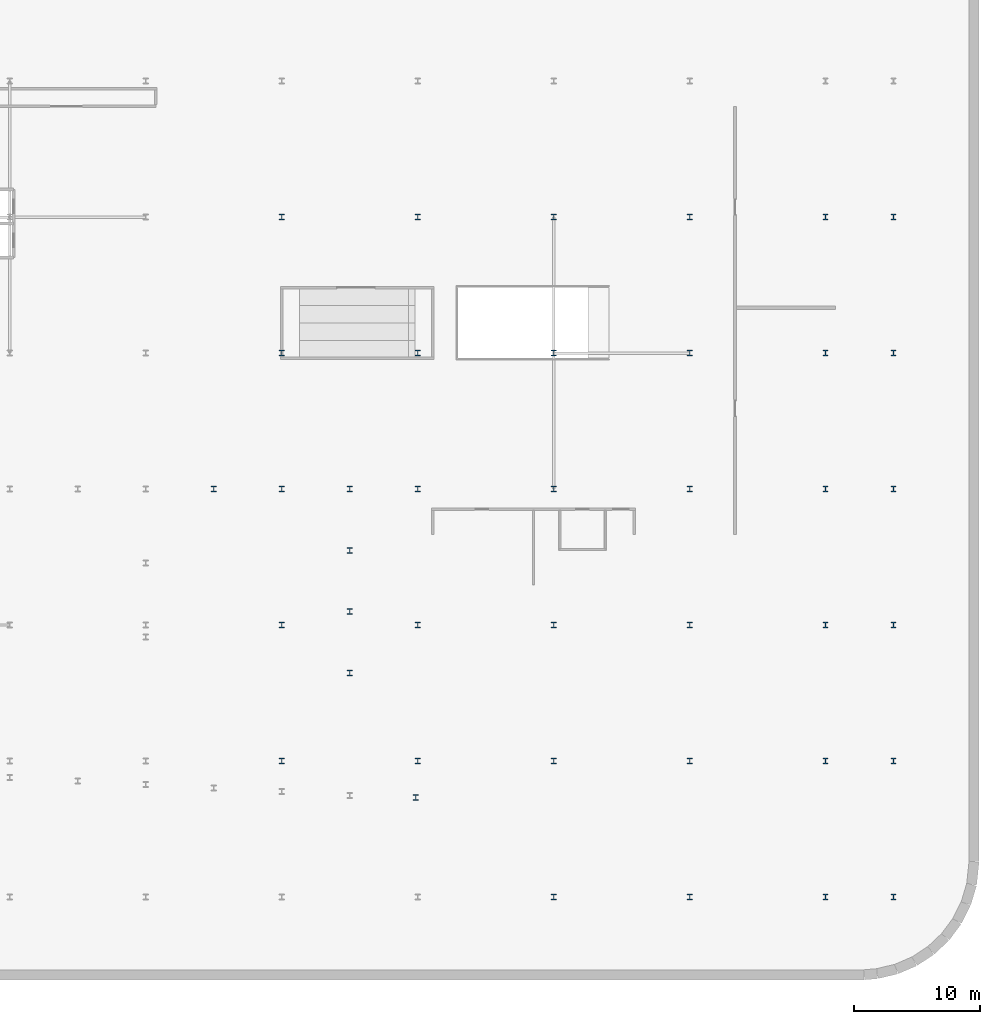
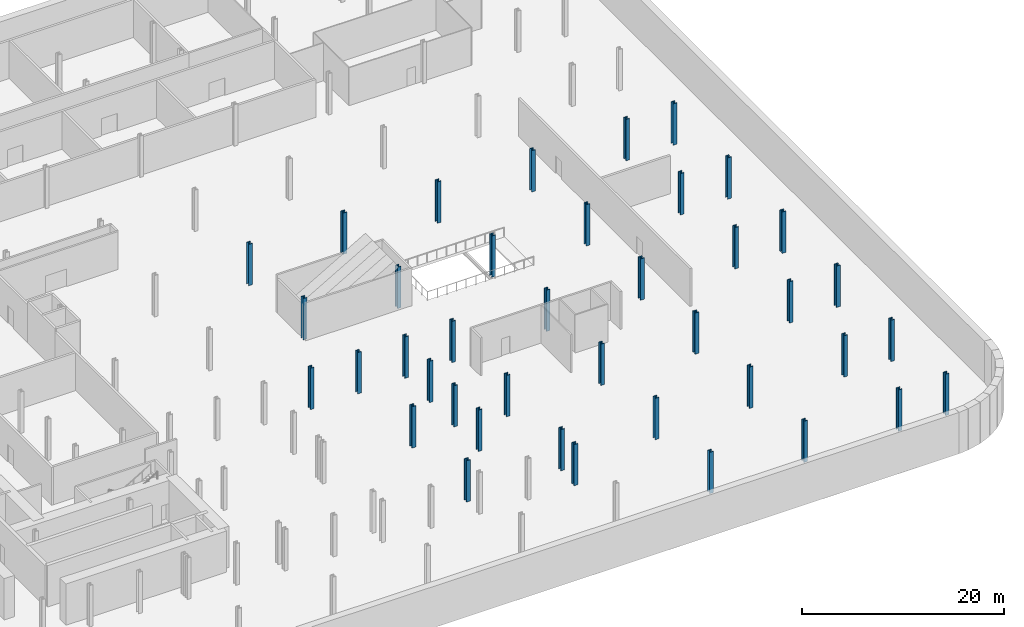
# One storey, part 2 of 19: 40 columns.
"""IFC4 building model written with IfcOpenShell, lengths in metres."""

from ifc_helpers import new_model, si_unit, direction, frame, origin, origin_2d, place, context, subcontext, project, spatial, i_section, extrude, material, material_profile, profile_set, type_object, element, save


model = new_model("IFC4")

# Units and contexts
model_context = context("Model", 3, precision=1e-05, world=origin(), true_north=direction((0.0, 1.0)))
body_context = subcontext(model_context, "Body", "Model", "MODEL_VIEW")
ifc_project = project(units=[si_unit("LENGTHUNIT", "METRE"), si_unit("AREAUNIT", "SQUARE_METRE"), si_unit("VOLUMEUNIT", "CUBIC_METRE"), si_unit("PLANEANGLEUNIT", "RADIAN"), si_unit("MASSUNIT", "GRAM", prefix="KILO")], contexts=[model_context])

# Site, building, storey
site_placement = place(None, origin())
site = spatial("IfcSite", under=ifc_project, at=site_placement, CompositionType="ELEMENT")
building_placement = place(site_placement, origin())
building = spatial("IfcBuilding", under=site, at=building_placement, Name="Kheshtan School and Residences Tower", CompositionType="ELEMENT")
storey_placement = place(building_placement, frame((0.0, 0.0, -10.0)))
storey = spatial("IfcBuildingStorey", under=building, at=storey_placement, Name="B2", CompositionType="ELEMENT", Elevation=-10.0)

# Columns
ifc_material = material(Name="Steel ASTM A992 Grade 50", Category="steel")
ifc_material_profile = material_profile(ifc_material, i_section(OverallWidth=0.424072265625, OverallDepth=0.47412109375, WebThickness=0.047607421875, FlangeThickness=0.0771484375, FilletRadius=0.01416015625, at=origin_2d()), Name="W360x634")
ifc_profile_set = profile_set([ifc_material_profile], Name="Steel ASTM A992 Grade 50")
column_type = type_object("IfcColumnType", Name="Column PC1 W360x634 ASTM A992 Grade 50", PredefinedType="COLUMN", material=ifc_profile_set)
for number, where, z_axis, x_axis, name in (
    (1, (101.60009765625, 13.199951171875, 0.0), (0.0, 0.0, 1.0), (1.0, 0.0, 0.0), "Column P-009"),
    (2, (112.39990234375, 13.199951171875, 0.0), (0.0, 0.0, 1.0), (1.0, 0.0, 0.0), "Column P-010"),
    (3, (123.199951171875, 13.199951171875, 0.0), (0.0, 0.0, 1.0), (1.0, 0.0, 0.0), "Column P-011"),
    (4, (128.60009765625, 13.199951171875, 0.0), (0.0, 0.0, 1.0), (1.0, 0.0, 0.0), "Column P-012"),
    (5, (80.0, 24.0, 0.0), (0.0, 0.0, 1.0), (1.0, 0.0, 0.0), "Column P-019"),
    (6, (90.800048828125, 24.0, 0.0), (0.0, 0.0, 1.0), (1.0, 0.0, 0.0), "Column P-020"),
    (7, (101.60009765625, 24.0, 0.0), (0.0, 0.0, 1.0), (1.0, 0.0, 0.0), "Column P-021"),
    (8, (112.39990234375, 24.0, 0.0), (0.0, 0.0, 1.0), (1.0, 0.0, 0.0), "Column P-022"),
    (9, (123.199951171875, 24.0, 0.0), (0.0, 0.0, 1.0), (1.0, 0.0, 0.0), "Column P-023"),
    (10, (128.60009765625, 24.0, 0.0), (0.0, 0.0, 1.0), (1.0, 0.0, 0.0), "Column P-024"),
    (11, (80.0, 34.800048828125, 0.0), (0.0, 0.0, 1.0), (1.0, 0.0, 0.0), "Column P-031"),
    (12, (90.800048828125, 34.800048828125, 0.0), (0.0, 0.0, 1.0), (1.0, 0.0, 0.0), "Column P-032"),
    (13, (101.60009765625, 34.800048828125, 0.0), (0.0, 0.0, 1.0), (1.0, 0.0, 0.0), "Column P-033"),
    (14, (112.39990234375, 34.800048828125, 0.0), (0.0, 0.0, 1.0), (1.0, 0.0, 0.0), "Column P-034"),
    (15, (123.199951171875, 34.800048828125, 0.0), (0.0, 0.0, 1.0), (1.0, 0.0, 0.0), "Column P-035"),
    (16, (128.60009765625, 34.800048828125, 0.0), (0.0, 0.0, 1.0), (1.0, 0.0, 0.0), "Column P-036"),
    (17, (80.0, 45.60009765625, 0.0), (0.0, 0.0, 1.0), (1.0, 0.0, 0.0), "Column P-043"),
    (18, (90.800048828125, 45.60009765625, 0.0), (0.0, 0.0, 1.0), (1.0, 0.0, 0.0), "Column P-044"),
    (19, (101.60009765625, 45.60009765625, 0.0), (0.0, 0.0, 1.0), (1.0, 0.0, 0.0), "Column P-045"),
    (20, (112.39990234375, 45.60009765625, 0.0), (0.0, 0.0, 1.0), (1.0, 0.0, 0.0), "Column P-046"),
    (21, (123.199951171875, 45.60009765625, 0.0), (0.0, 0.0, 1.0), (1.0, 0.0, 0.0), "Column P-047"),
    (22, (128.60009765625, 45.60009765625, 0.0), (0.0, 0.0, 1.0), (1.0, 0.0, 0.0), "Column P-048"),
    (23, (80.0, 56.39990234375, 0.0), (0.0, 0.0, 1.0), (1.0, 0.0, 0.0), "Column P-055"),
    (24, (90.800048828125, 56.39990234375, 0.0), (0.0, 0.0, 1.0), (1.0, 0.0, 0.0), "Column P-056"),
    (25, (101.60009765625, 56.39990234375, 0.0), (0.0, 0.0, 1.0), (1.0, 0.0, 0.0), "Column P-057"),
    (26, (112.39990234375, 56.39990234375, 0.0), (0.0, 0.0, 1.0), (1.0, 0.0, 0.0), "Column P-058"),
    (27, (123.199951171875, 56.39990234375, 0.0), (0.0, 0.0, 1.0), (1.0, 0.0, 0.0), "Column P-059"),
    (28, (128.60009765625, 56.39990234375, 0.0), (0.0, 0.0, 1.0), (1.0, 0.0, 0.0), "Column P-060"),
    (29, (80.0, 67.199951171875, 0.0), (0.0, 0.0, 1.0), (1.0, 0.0, 0.0), "Column P-067"),
    (30, (90.800048828125, 67.199951171875, 0.0), (0.0, 0.0, 1.0), (1.0, 0.0, 0.0), "Column P-068"),
    (31, (101.60009765625, 67.199951171875, 0.0), (0.0, 0.0, 1.0), (1.0, 0.0, 0.0), "Column P-069"),
    (32, (112.39990234375, 67.199951171875, 0.0), (0.0, 0.0, 1.0), (1.0, 0.0, 0.0), "Column P-070"),
    (33, (123.199951171875, 67.199951171875, 0.0), (0.0, 0.0, 1.0), (1.0, 0.0, 0.0), "Column P-071"),
    (34, (128.60009765625, 67.199951171875, 0.0), (0.0, 0.0, 1.0), (1.0, 0.0, 0.0), "Column P-072"),
    (35, (90.639892578125, 21.110107421875, 0.0), (0.0, 0.0, 1.0), (1.0, 0.0, 0.0), "Transfer column X01"),
    (36, (74.60009765625, 45.60009765625, 0.0), (0.0, 0.0, 1.0), (1.0, 0.0, 0.0), "Transfer column X18"),
    (37, (85.39990234375, 45.60009765625, 0.0), (0.0, 0.0, 1.0), (1.0, 0.0, 0.0), "Transfer column X19"),
    (38, (85.39990234375, 31.0, 0.0), (0.0, 0.0, 1.0), (1.0, 0.0, 0.0), "Transfer column X35"),
    (39, (85.39990234375, 35.8701171875, 0.0), (0.0, 0.0, 1.0), (1.0, 0.0, 0.0), "Transfer column X38"),
    (40, (85.39990234375, 40.72998046875, 0.0), (0.0, 0.0, 1.0), (1.0, 0.0, 0.0), "Transfer column X41"),
):
    element("IfcColumn", number, at=place(storey_placement, frame(where, z_axis=z_axis, x_axis=x_axis)), inside=storey, type_object=column_type, Name=name, PredefinedType="COLUMN", context=body_context, shape_type="SweptSolid", body=[
        extrude(i_section(OverallWidth=0.424072265625, OverallDepth=0.47412109375, WebThickness=0.047607421875, FlangeThickness=0.0771484375, FilletRadius=0.01416015625, at=origin_2d()), origin(), (0.0, 0.0, 1.0), 5.0),
    ])

save(model, "model.ifc")
